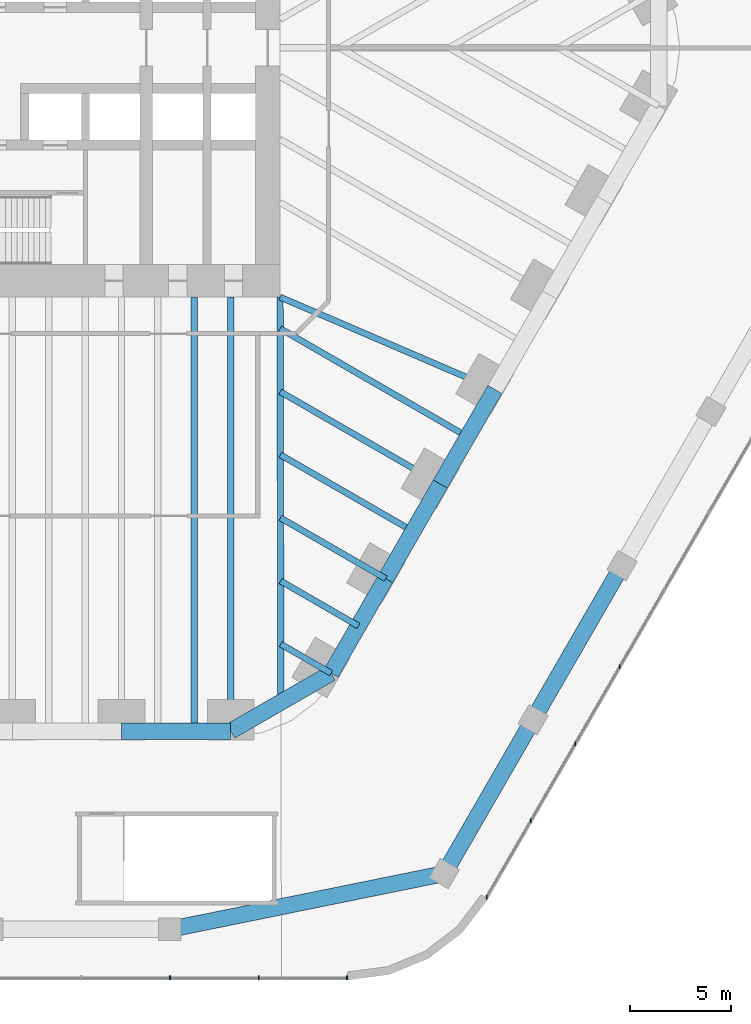
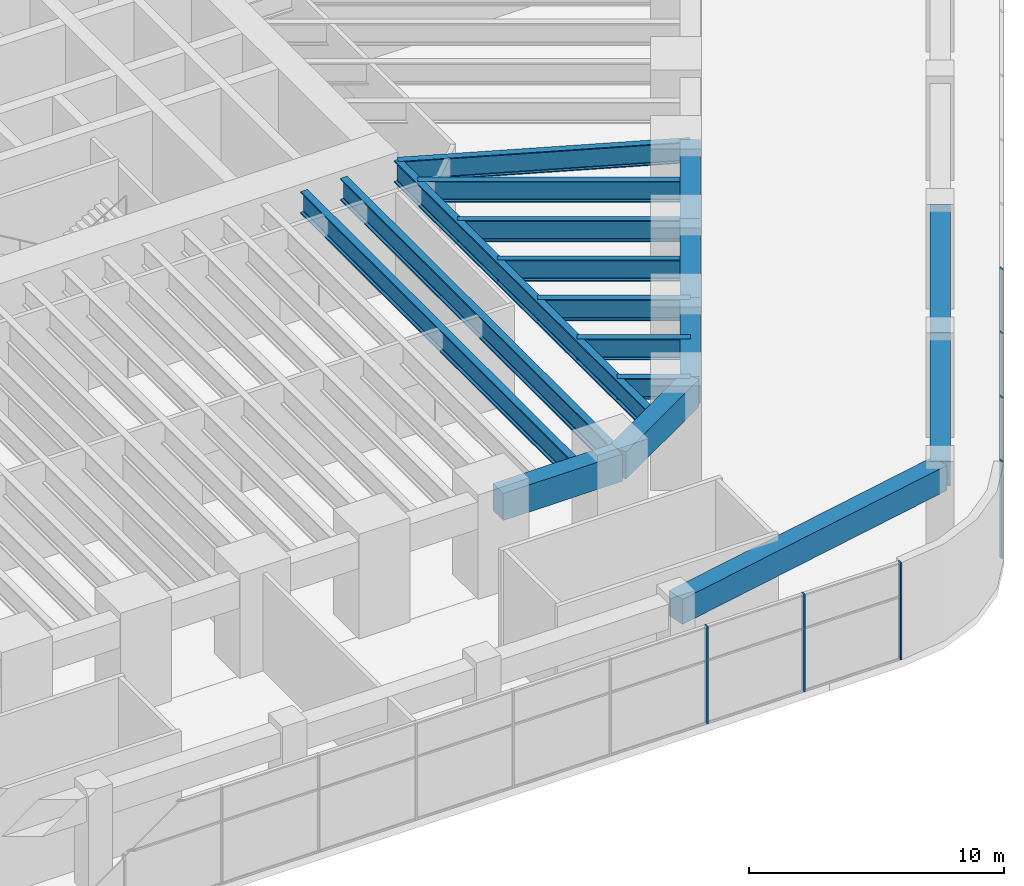
# One storey, part 11 of 31: 18 beams, 7 members, 2 elements without a shape of their own.
"""IFC4 building model written with IfcOpenShell, lengths in metres."""

from ifc_helpers import new_model, si_unit, direction, frame, origin, origin_2d, place, context, subcontext, project, spatial, rectangle, i_section, extrude, material, material_profile, profile_set, type_object, element, aggregate, save


model = new_model("IFC4")

# Units and contexts
model_context = context("Model", 3, precision=1e-05, world=origin(), true_north=direction((0.0, 1.0)))
body_context = subcontext(model_context, "Body", "Model", "MODEL_VIEW")
ifc_project = project(units=[si_unit("LENGTHUNIT", "METRE"), si_unit("AREAUNIT", "SQUARE_METRE"), si_unit("VOLUMEUNIT", "CUBIC_METRE"), si_unit("PLANEANGLEUNIT", "RADIAN"), si_unit("MASSUNIT", "GRAM", prefix="KILO")], contexts=[model_context])

# Site, building, storey
site_placement = place(None, origin())
site = spatial("IfcSite", under=ifc_project, at=site_placement, CompositionType="ELEMENT")
building_placement = place(site_placement, origin())
building = spatial("IfcBuilding", under=site, at=building_placement, Name="Tarfa Lantern Tower", CompositionType="ELEMENT")
storey_placement = place(building_placement, frame((0.0, 0.0, 18.5)))
storey = spatial("IfcBuildingStorey", under=building, at=storey_placement, Name="L03", CompositionType="ELEMENT", Elevation=18.5)

# Curtain wall, members
ifc_material_1 = material(Name="Aluminium framed curtain wall", Category="aluminium")
curtain_wall_type = type_object("IfcCurtainWallType", Name="CW7 PODIUM GLAZING 4650", PredefinedType="USERDEFINED", material=ifc_material_1)
curtain_wall_1_placement = place(storey_placement, origin())
curtain_wall_1 = element("IfcCurtainWall", 1, at=curtain_wall_1_placement, inside=storey, type_object=curtain_wall_type, Name="CW7 S L03", ObjectType="CURTAIN WALL", PredefinedType="USERDEFINED")
ifc_material_2 = material(Name="Aluminium mullion", Category="aluminium")
ifc_material_profile_1 = material_profile(ifc_material_2, rectangle(XDim=0.06494140625, YDim=0.199951171875, at=origin_2d()), Name="AL MULLION 65x200")
ifc_profile_set_1 = profile_set([ifc_material_profile_1], Name="Aluminium mullion")
member_type = type_object("IfcMemberType", Name="CWM1 MULLION 65x200", PredefinedType="MULLION", material=ifc_profile_set_1)
member_1_placement = place(storey_placement, frame((13.16357421875, -45.89990234375, 0.0), z_axis=(0.0, 0.0, 1.0), x_axis=(1.0, 0.0, 0.0)))
member_1 = element("IfcMember", 2, at=member_1_placement, type_object=member_type, Name="CW7 mullion 9", PredefinedType="MULLION", context=body_context, shape_type="SweptSolid", body=[
    extrude(rectangle(XDim=0.06494140625, YDim=0.199951171875, at=origin_2d()), origin(), (0.0, 0.0, 1.0), 4.64990234375),
])
member_2_placement = place(storey_placement, frame((17.551513671875, -45.89990234375, 0.0), z_axis=(0.0, 0.0, 1.0), x_axis=(1.0, 0.0, 0.0)))
member_2 = element("IfcMember", 3, at=member_2_placement, type_object=member_type, Name="CW7 mullion 10", PredefinedType="MULLION", context=body_context, shape_type="SweptSolid", body=[
    extrude(rectangle(XDim=0.06494140625, YDim=0.199951171875, at=origin_2d()), origin(), (0.0, 0.0, 1.0), 4.64990234375),
])
member_3_placement = place(storey_placement, frame((21.90673828125, -45.89990234375, 0.0), z_axis=(0.0, 0.0, 1.0), x_axis=(1.0, 0.0, 0.0)))
member_3 = element("IfcMember", 4, at=member_3_placement, type_object=member_type, Name="CW7 mullion 11", PredefinedType="MULLION", context=body_context, shape_type="SweptSolid", body=[
    extrude(rectangle(XDim=0.06494140625, YDim=0.199951171875, at=origin_2d()), origin(), (0.0, 0.0, 1.0), 4.64990234375),
])
aggregate(curtain_wall_1, [member_1, member_2, member_3])

curtain_wall_2_placement = place(storey_placement, origin())
curtain_wall_2 = element("IfcCurtainWall", 5, at=curtain_wall_2_placement, inside=storey, type_object=curtain_wall_type, Name="CW7 SE L03", ObjectType="CURTAIN WALL", PredefinedType="USERDEFINED")
member_4_placement = place(storey_placement, frame((28.797119140625, -41.921875, 0.0), z_axis=(0.0, 0.0, 1.0), x_axis=(1.0, 0.0, 0.0)))
member_4 = element("IfcMember", 6, at=member_4_placement, type_object=member_type, Name="CW7 mullion 1", PredefinedType="MULLION", context=body_context, shape_type="SweptSolid", body=[
    extrude(rectangle(XDim=0.06494140625, YDim=0.199951171875, at=origin_2d()), origin(), (0.0, 0.0, 1.0), 4.64990234375),
])
member_5_placement = place(storey_placement, frame((30.974853515625, -38.14990234375, 0.0), z_axis=(0.0, 0.0, 1.0), x_axis=(1.0, 0.0, 0.0)))
member_5 = element("IfcMember", 7, at=member_5_placement, type_object=member_type, Name="CW7 mullion 2", PredefinedType="MULLION", context=body_context, shape_type="SweptSolid", body=[
    extrude(rectangle(XDim=0.06494140625, YDim=0.199951171875, at=origin_2d()), origin(), (0.0, 0.0, 1.0), 4.64990234375),
])
member_6_placement = place(storey_placement, frame((33.168701171875, -34.35009765625, 0.0), z_axis=(0.0, 0.0, 1.0), x_axis=(1.0, 0.0, 0.0)))
member_6 = element("IfcMember", 8, at=member_6_placement, type_object=member_type, Name="CW7 mullion 3", PredefinedType="MULLION", context=body_context, shape_type="SweptSolid", body=[
    extrude(rectangle(XDim=0.06494140625, YDim=0.199951171875, at=origin_2d()), origin(), (0.0, 0.0, 1.0), 4.64990234375),
])
member_7_placement = place(storey_placement, frame((35.36279296875, -30.550048828125, 0.0), z_axis=(0.0, 0.0, 1.0), x_axis=(1.0, 0.0, 0.0)))
member_7 = element("IfcMember", 9, at=member_7_placement, type_object=member_type, Name="CW7 mullion 4", PredefinedType="MULLION", context=body_context, shape_type="SweptSolid", body=[
    extrude(rectangle(XDim=0.06494140625, YDim=0.199951171875, at=origin_2d()), origin(), (0.0, 0.0, 1.0), 4.64990234375),
])
aggregate(curtain_wall_2, [member_4, member_5, member_6, member_7])

# Beams
ifc_material_3 = material(Name="Concrete C80/95", Category="concrete")
ifc_material_profile_2 = material_profile(ifc_material_3, rectangle(XDim=0.800048828125, YDim=1.300048828125, at=origin_2d()), Name="RC 800x1300")
ifc_profile_set_2 = profile_set([ifc_material_profile_2], Name="Concrete C80/95")
beam_type_1 = type_object("IfcBeamType", Name="EB1 RC 800x1300", PredefinedType="SPANDREL", material=ifc_profile_set_2)
beam_1_placement = place(storey_placement, frame((10.777099609375, -33.719970703125, 4.0), z_axis=(1.0, 0.0, 0.0), x_axis=(0.0, 1.0, 0.0)))
element("IfcBeam", 10, at=beam_1_placement, inside=storey, type_object=beam_type_1, Name="Edge beam S5", PredefinedType="SPANDREL", context=body_context, shape_type="SweptSolid", body=[
    extrude(rectangle(XDim=0.800048828125, YDim=1.300048828125, at=origin_2d()), origin(), (0.0, 0.0, 1.0), 5.388671875),
])
beam_2_placement = place(storey_placement, frame((16.165771484375, -33.719970703125, 4.0), z_axis=(0.866033479681, 0.499986011877, 0.0), x_axis=(-0.499986011877, 0.866033479681, 0.0)))
element("IfcBeam", 11, at=beam_2_placement, inside=storey, type_object=beam_type_1, Name="Edge beam S6", PredefinedType="SPANDREL", context=body_context, shape_type="SweptSolid", body=[
    extrude(rectangle(XDim=0.800048828125, YDim=1.300048828125, at=origin_2d()), origin(), (0.0, 0.0, 1.0), 5.719970703125),
])
for number, where, z_axis, x_axis, name in (
    (12, (21.119384765625, -30.860107421875, 4.0), (0.499998287579, 0.866026392449, 0.0), (-0.866026392449, 0.499998287579, 0.0), "Edge beam SE0"),
    (13, (23.813720703125, -26.193359375, 4.0), (0.499998287579, 0.866026392449, 0.0), (-0.866026392449, 0.499998287579, 0.0), "Edge beam SE1"),
):
    element("IfcBeam", number, at=place(storey_placement, frame(where, z_axis=z_axis, x_axis=x_axis)), inside=storey, type_object=beam_type_1, Name=name, PredefinedType="SPANDREL", context=body_context, shape_type="SweptSolid", body=[
        extrude(rectangle(XDim=0.800048828125, YDim=1.300048828125, at=origin_2d()), origin(), (0.0, 0.0, 1.0), 5.388671875),
    ])
beam_3_placement = place(storey_placement, frame((26.508056640625, -21.526611328125, 4.0), z_axis=(0.500017906299, 0.866015065331, 0.0), x_axis=(-0.866015065331, 0.500017906299, 0.0)))
element("IfcBeam", 14, at=beam_3_placement, inside=storey, type_object=beam_type_1, Name="Edge beam SE2", PredefinedType="SPANDREL", context=body_context, shape_type="SweptSolid", body=[
    extrude(rectangle(XDim=0.800048828125, YDim=1.300048828125, at=origin_2d()), origin(), (0.0, 0.0, 1.0), 5.388427734375),
])
ifc_material_profile_3 = material_profile(ifc_material_3, rectangle(XDim=0.800048828125, YDim=1.199951171875, at=origin_2d()), Name="RC 800x1200")
ifc_profile_set_3 = profile_set([ifc_material_profile_3], Name="Concrete C80/95")
beam_type_2 = type_object("IfcBeamType", Name="PB2 RC 800x1200", PredefinedType="BEAM", material=ifc_profile_set_3)
beam_4_placement = place(storey_placement, frame((13.16357421875, -43.5, 4.050048828125), z_axis=(0.979988342999, 0.199054885863, 0.0), x_axis=(-0.199054885863, 0.979988342999, 0.0)))
element("IfcBeam", 15, at=beam_4_placement, inside=storey, type_object=beam_type_2, Name="Podium ring beam S4", PredefinedType="BEAM", context=body_context, shape_type="SweptSolid", body=[
    extrude(rectangle(XDim=0.800048828125, YDim=1.199951171875, at=origin_2d()), origin(), (0.0, 0.0, 1.0), 13.815185546875),
])
beam_5_placement = place(storey_placement, frame((26.702392578125, -40.75, 4.050048828125), z_axis=(0.50000179687, 0.866024366359, 0.0), x_axis=(-0.866024366359, 0.50000179687, 0.0)))
element("IfcBeam", 16, at=beam_5_placement, inside=storey, type_object=beam_type_2, Name="Podium ring beam SE0", PredefinedType="BEAM", context=body_context, shape_type="SweptSolid", body=[
    extrude(rectangle(XDim=0.800048828125, YDim=1.199951171875, at=origin_2d()), origin(), (0.0, 0.0, 1.0), 8.77587890625),
])
beam_6_placement = place(storey_placement, frame((31.09033203125, -33.14990234375, 4.050048828125), z_axis=(0.500013843384, 0.866017411155, 0.0), x_axis=(-0.866017411155, 0.500013843384, 0.0)))
element("IfcBeam", 17, at=beam_6_placement, inside=storey, type_object=beam_type_2, Name="Podium ring beam SE1", PredefinedType="BEAM", context=body_context, shape_type="SweptSolid", body=[
    extrude(rectangle(XDim=0.800048828125, YDim=1.199951171875, at=origin_2d()), origin(), (0.0, 0.0, 1.0), 8.775634765625),
])
ifc_material_4 = material(Name="Steel S460M", Category="steel")
ifc_material_profile_4 = material_profile(ifc_material_4, i_section(OverallWidth=0.302001953125, OverallDepth=1.008056640625, WebThickness=0.02099609375, FlangeThickness=0.0400390625, FilletRadius=0.030029296875, at=origin_2d()), Name="UB1016x305x349")
ifc_profile_set_4 = profile_set([ifc_material_profile_4], Name="Steel S460M")
beam_type_3 = type_object("IfcBeamType", Name="UB1016x305x349", PredefinedType="BEAM", material=ifc_profile_set_4)
beam_7_placement = place(storey_placement, frame((21.119384765625, -30.860107421875, 4.14599609375), z_axis=(-0.866012580594, 0.500022209759, 0.0), x_axis=(-0.500022209759, -0.866012580594, 0.0)))
element("IfcBeam", 18, at=beam_7_placement, inside=storey, type_object=beam_type_3, Name="Floor beam SE0", PredefinedType="BEAM", context=body_context, shape_type="SweptSolid", body=[
    extrude(i_section(OverallWidth=0.302001953125, OverallDepth=1.008056640625, WebThickness=0.02099609375, FlangeThickness=0.0400390625, FilletRadius=0.030029296875, at=origin_2d()), origin(), (0.0, 0.0, 1.0), 2.866943359375),
])
beam_8_placement = place(storey_placement, frame((23.813720703125, -26.193359375, 4.14599609375), z_axis=(-0.866015997389, 0.500016292001, 0.0), x_axis=(-0.500016292001, -0.866015997389, 0.0)))
element("IfcBeam", 19, at=beam_8_placement, inside=storey, type_object=beam_type_3, Name="Floor beam SE1", PredefinedType="BEAM", context=body_context, shape_type="SweptSolid", body=[
    extrude(i_section(OverallWidth=0.302001953125, OverallDepth=1.008056640625, WebThickness=0.02099609375, FlangeThickness=0.0400390625, FilletRadius=0.030029296875, at=origin_2d()), origin(), (0.0, 0.0, 1.0), 5.993408203125),
])
beam_9_placement = place(storey_placement, frame((26.508056640625, -21.526611328125, 4.14599609375), z_axis=(-0.866035355799, 0.49998276221, 0.0), x_axis=(-0.49998276221, -0.866035355799, 0.0)))
element("IfcBeam", 20, at=beam_9_placement, inside=storey, type_object=beam_type_3, Name="Floor beam SE2", PredefinedType="BEAM", context=body_context, shape_type="SweptSolid", body=[
    extrude(i_section(OverallWidth=0.302001953125, OverallDepth=1.008056640625, WebThickness=0.02099609375, FlangeThickness=0.0400390625, FilletRadius=0.030029296875, at=origin_2d()), origin(), (0.0, 0.0, 1.0), 9.119873046875),
])
beam_10_placement = place(storey_placement, frame((29.202392578125, -16.860107421875, 4.14599609375), z_axis=(-0.918635483867, 0.395106122175, 0.0), x_axis=(-0.395106122175, -0.918635483867, 0.0)))
element("IfcBeam", 21, at=beam_10_placement, inside=storey, type_object=beam_type_3, Name="Floor beam SE3", PredefinedType="BEAM", context=body_context, shape_type="SweptSolid", body=[
    extrude(i_section(OverallWidth=0.302001953125, OverallDepth=1.008056640625, WebThickness=0.02099609375, FlangeThickness=0.0400390625, FilletRadius=0.030029296875, at=origin_2d()), origin(), (0.0, 0.0, 1.0), 11.541259765625),
])
beam_11_placement = place(storey_placement, frame((22.466552734375, -28.526611328125, 4.14599609375), z_axis=(-0.866026823135, 0.499997541604, 0.0), x_axis=(-0.499997541604, -0.866026823135, 0.0)))
element("IfcBeam", 22, at=beam_11_placement, inside=storey, type_object=beam_type_3, Name="Floor beam SE0M", PredefinedType="BEAM", context=body_context, shape_type="SweptSolid", body=[
    extrude(i_section(OverallWidth=0.302001953125, OverallDepth=1.008056640625, WebThickness=0.02099609375, FlangeThickness=0.0400390625, FilletRadius=0.030029296875, at=origin_2d()), origin(), (0.0, 0.0, 1.0), 4.43017578125),
])
beam_12_placement = place(storey_placement, frame((25.160888671875, -23.860107421875, 4.14599609375), z_axis=(-0.866009650502, 0.500027284493, 0.0), x_axis=(-0.500027284493, -0.866009650502, 0.0)))
element("IfcBeam", 23, at=beam_12_placement, inside=storey, type_object=beam_type_3, Name="Floor beam SE1M", PredefinedType="BEAM", context=body_context, shape_type="SweptSolid", body=[
    extrude(i_section(OverallWidth=0.302001953125, OverallDepth=1.008056640625, WebThickness=0.02099609375, FlangeThickness=0.0400390625, FilletRadius=0.030029296875, at=origin_2d()), origin(), (0.0, 0.0, 1.0), 7.556640625),
])
beam_13_placement = place(storey_placement, frame((27.855224609375, -19.193359375, 4.14599609375), z_axis=(-0.866028034017, 0.499995444275, 0.0), x_axis=(-0.499995444275, -0.866028034017, 0.0)))
element("IfcBeam", 24, at=beam_13_placement, inside=storey, type_object=beam_type_3, Name="Floor beam SE2M", PredefinedType="BEAM", context=body_context, shape_type="SweptSolid", body=[
    extrude(i_section(OverallWidth=0.302001953125, OverallDepth=1.008056640625, WebThickness=0.02099609375, FlangeThickness=0.0400390625, FilletRadius=0.030029296875, at=origin_2d()), origin(), (0.0, 0.0, 1.0), 10.68310546875),
])
ifc_material_profile_5 = material_profile(ifc_material_4, i_section(OverallWidth=0.314208984375, OverallDepth=1.055908203125, WebThickness=0.035888671875, FlangeThickness=0.06396484375, FilletRadius=0.030029296875, at=origin_2d()), Name="UB1016x305x584")
ifc_profile_set_5 = profile_set([ifc_material_profile_5], Name="Steel S460M")
beam_type_4 = type_object("IfcBeamType", Name="UB1016x305x584", PredefinedType="BEAM", material=ifc_profile_set_5)
beam_14_placement = place(storey_placement, frame((18.60009765625, -12.300048828125, 4.1220703125), z_axis=(0.00212508222, -0.99999774201, 0.0), x_axis=(0.99999774201, 0.00212508222, 0.0)))
element("IfcBeam", 25, at=beam_14_placement, inside=storey, type_object=beam_type_4, Name="Hip girder SE", PredefinedType="BEAM", context=body_context, shape_type="SweptSolid", body=[
    extrude(i_section(OverallWidth=0.314208984375, OverallDepth=1.055908203125, WebThickness=0.035888671875, FlangeThickness=0.06396484375, FilletRadius=0.030029296875, at=origin_2d()), origin(), (0.0, 0.0, 1.0), 19.989990234375),
])
for number, where, z_axis, x_axis, name in (
    (26, (16.165771484375, -33.719970703125, 4.1220703125), (0.0, 1.0, 0.0), (-1.0, 0.0, 0.0), "Floor beam S6"),
    (27, (14.36962890625, -33.719970703125, 4.1220703125), (0.0, 1.0, 0.0), (-1.0, 0.0, 0.0), "Floor beam S5M2"),
):
    element("IfcBeam", number, at=place(storey_placement, frame(where, z_axis=z_axis, x_axis=x_axis)), inside=storey, type_object=beam_type_4, Name=name, PredefinedType="BEAM", context=body_context, shape_type="SweptSolid", body=[
        extrude(i_section(OverallWidth=0.314208984375, OverallDepth=1.055908203125, WebThickness=0.035888671875, FlangeThickness=0.06396484375, FilletRadius=0.030029296875, at=origin_2d()), origin(), (0.0, 0.0, 1.0), 21.419921875),
    ])

save(model, "model.ifc")
